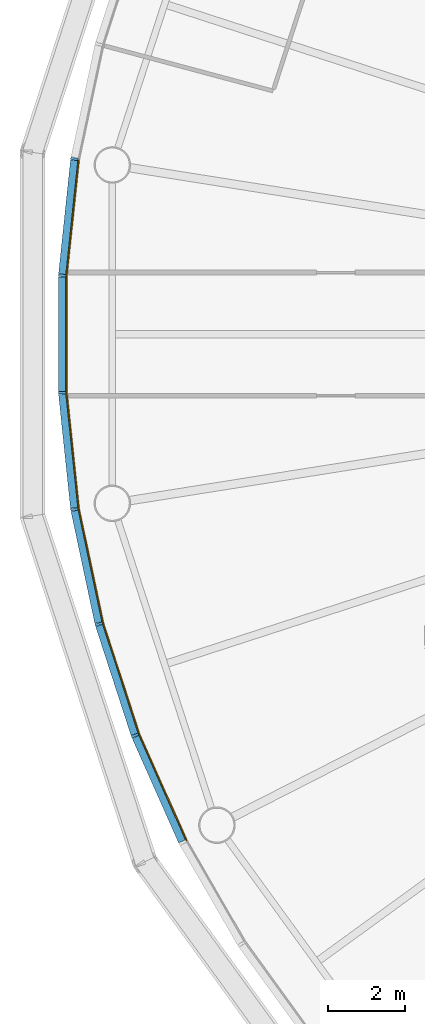
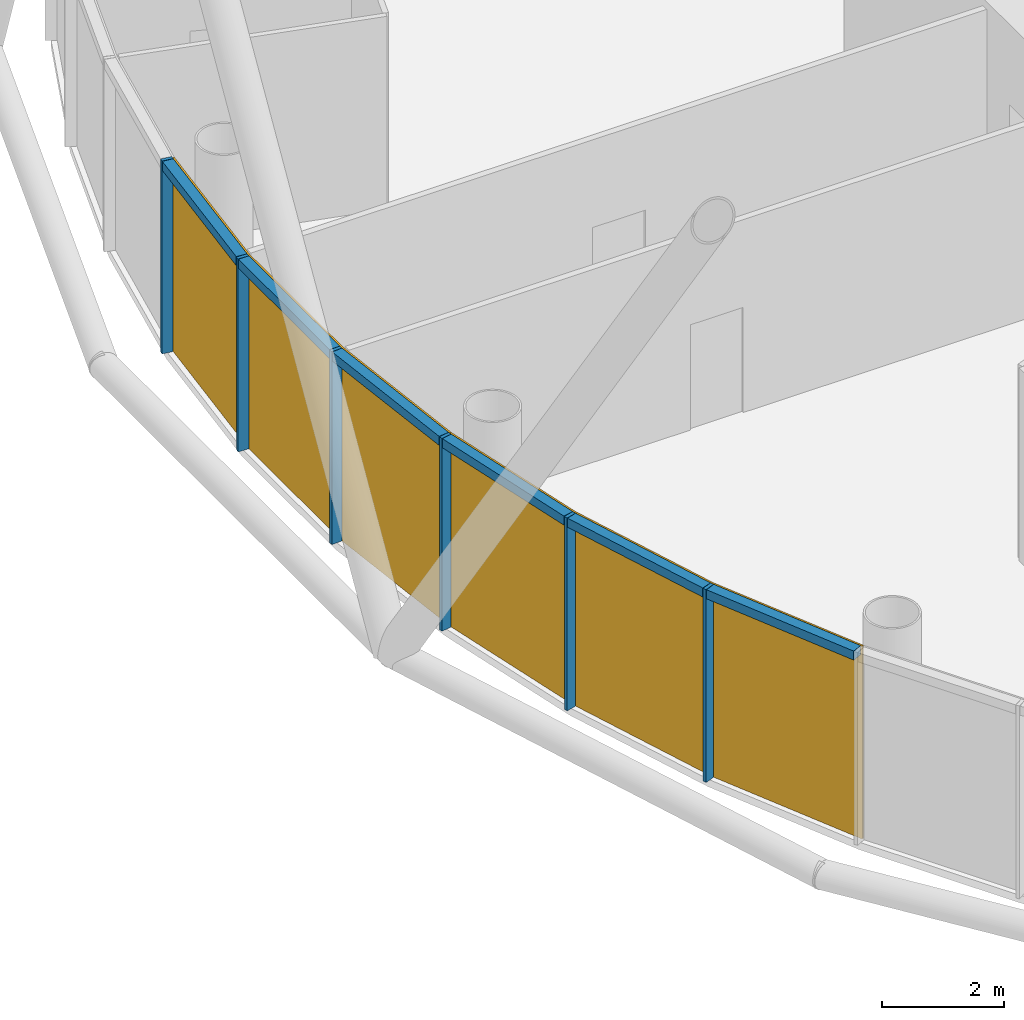
# One storey, part 8 of 13: 12 members, 2 curtain walls.
"""IFC4 building model written with IfcOpenShell, lengths in metres."""

from ifc_helpers import new_model, si_unit, direction, frame, origin, origin_2d, place, context, subcontext, project, spatial, polyline, rectangle, outline, extrude, material, layer, layer_set, material_profile, profile_set, type_object, element, aggregate, save


model = new_model("IFC4")

# Units and contexts
model_context = context("Model", 3, precision=1e-05, world=origin(), true_north=direction((0.0, 1.0)))
body_context = subcontext(model_context, "Body", "Model", "MODEL_VIEW")
ifc_project = project(units=[si_unit("LENGTHUNIT", "METRE"), si_unit("AREAUNIT", "SQUARE_METRE"), si_unit("VOLUMEUNIT", "CUBIC_METRE"), si_unit("PLANEANGLEUNIT", "RADIAN"), si_unit("MASSUNIT", "GRAM", prefix="KILO")], contexts=[model_context])

# Member
ifc_material_1 = material(Name="Anodised aluminium", Category="aluminium")
ifc_material_profile_1 = material_profile(ifc_material_1, rectangle(XDim=0.06494140625, YDim=0.195068359375, at=origin_2d()), Name="Mullion 65 x 195 mm anodised aluminium")
ifc_profile_set_1 = profile_set([ifc_material_profile_1], Name="Anodised aluminium")
member_type_1 = type_object("IfcMemberType", Name="Mullion 65 x 195 mm anodised aluminium", PredefinedType="MULLION", material=ifc_profile_set_1)
site_placement = place(None, origin())
building_placement = place(site_placement, origin())
storey_placement = place(building_placement, frame((0.0, 0.0, 294.0)))
member_1_placement = place(storey_placement, frame((61.2607421875, 84.5517578125, 0.0), z_axis=(0.0, 0.0, 1.0), x_axis=(-0.15643446504, -0.987688340595, 0.0)))
member_1 = element("IfcMember", 1, at=member_1_placement, type_object=member_type_1, Name="MULLION L67-27", PredefinedType="MULLION", context=body_context, shape_type="SweptSolid", body=[
    extrude(rectangle(XDim=0.06494140625, YDim=0.195068359375, at=origin_2d()), origin(), (0.0, 0.0, 1.0), 3.85009765625),
])

member_2_placement = place(storey_placement, frame((60.9423828125, 81.52294921875, 0.0), z_axis=(0.0, 0.0, 1.0), x_axis=(-0.052335956243, -0.998629534755, 0.0)))
member_2 = element("IfcMember", 2, at=member_2_placement, type_object=member_type_1, Name="MULLION L67-28", PredefinedType="MULLION", context=body_context, shape_type="SweptSolid", body=[
    extrude(rectangle(XDim=0.06494140625, YDim=0.195068359375, at=origin_2d()), origin(), (0.0, 0.0, 1.0), 3.85009765625),
])

member_3_placement = place(storey_placement, frame((60.9423828125, 78.47705078125, 0.0), z_axis=(0.0, 0.0, 1.0), x_axis=(0.052335956243, -0.998629534755, 0.0)))
member_3 = element("IfcMember", 3, at=member_3_placement, type_object=member_type_1, Name="MULLION L67-29", PredefinedType="MULLION", context=body_context, shape_type="SweptSolid", body=[
    extrude(rectangle(XDim=0.06494140625, YDim=0.195068359375, at=origin_2d()), origin(), (0.0, 0.0, 1.0), 3.85009765625),
])

member_4_placement = place(storey_placement, frame((61.2607421875, 75.4482421875, 0.0), z_axis=(0.0, 0.0, 1.0), x_axis=(0.15643446504, -0.987688340595, 0.0)))
member_4 = element("IfcMember", 4, at=member_4_placement, type_object=member_type_1, Name="MULLION L67-30", PredefinedType="MULLION", context=body_context, shape_type="SweptSolid", body=[
    extrude(rectangle(XDim=0.06494140625, YDim=0.195068359375, at=origin_2d()), origin(), (0.0, 0.0, 1.0), 3.85009765625),
])

member_5_placement = place(storey_placement, frame((61.89404296875, 72.468994140625, 0.0), z_axis=(0.0, 0.0, 1.0), x_axis=(0.258819045103, -0.965925826289, 0.0)))
member_5 = element("IfcMember", 5, at=member_5_placement, type_object=member_type_1, Name="MULLION L67-31", PredefinedType="MULLION", context=body_context, shape_type="SweptSolid", body=[
    extrude(rectangle(XDim=0.06494140625, YDim=0.195068359375, at=origin_2d()), origin(), (0.0, 0.0, 1.0), 3.85009765625),
])

member_6_placement = place(storey_placement, frame((62.835205078125, 69.572509765625, 0.0), z_axis=(0.0, 0.0, 1.0), x_axis=(0.358367949545, -0.933580426497, 0.0)))
member_6 = element("IfcMember", 6, at=member_6_placement, type_object=member_type_1, Name="MULLION L67-32", PredefinedType="MULLION", context=body_context, shape_type="SweptSolid", body=[
    extrude(rectangle(XDim=0.06494140625, YDim=0.195068359375, at=origin_2d()), origin(), (0.0, 0.0, 1.0), 3.85009765625),
])

ifc_material_2 = material(Name="Anodised aluminium", Category="aluminium")
ifc_material_profile_2 = material_profile(ifc_material_2, rectangle(XDim=0.195068359375, YDim=0.179931640625, at=origin_2d()), Name="Transom 180 x 195 mm anodised aluminium")
ifc_profile_set_2 = profile_set([ifc_material_profile_2], Name="Anodised aluminium")
member_type_2 = type_object("IfcMemberType", Name="Transom 180 x 195 mm anodised aluminium", PredefinedType="USERDEFINED", material=ifc_profile_set_2)
member_7_placement = place(storey_placement, frame((61.256591796875, 84.514404296875, 3.760009765625), z_axis=(-0.104466577987, -0.994528397827, 0.0), x_axis=(0.994528397827, -0.104466577987, 0.0)))
member_7 = element("IfcMember", 7, at=member_7_placement, type_object=member_type_2, Name="TRANSOM L67-27", ObjectType="TRANSOM", PredefinedType="USERDEFINED", context=body_context, shape_type="SweptSolid", body=[
    extrude(rectangle(XDim=0.195068359375, YDim=0.179931640625, at=origin_2d()), origin(), (0.0, 0.0, 1.0), 2.970458984375),
])

member_8_placement = place(storey_placement, frame((60.942138671875, 81.4853515625, 3.760009765625), z_axis=(0.0, -1.0, 0.0), x_axis=(1.0, 0.0, 0.0)))
member_8 = element("IfcMember", 8, at=member_8_placement, type_object=member_type_2, Name="TRANSOM L67-28", ObjectType="TRANSOM", PredefinedType="USERDEFINED", context=body_context, shape_type="SweptSolid", body=[
    extrude(rectangle(XDim=0.195068359375, YDim=0.179931640625, at=origin_2d()), origin(), (0.0, 0.0, 1.0), 2.970703125),
])

member_9_placement = place(storey_placement, frame((60.9462890625, 78.439697265625, 3.760009765625), z_axis=(0.104466577987, -0.994528397827, 0.0), x_axis=(0.994528397827, 0.104466577987, 0.0)))
member_9 = element("IfcMember", 9, at=member_9_placement, type_object=member_type_2, Name="TRANSOM L67-29", ObjectType="TRANSOM", PredefinedType="USERDEFINED", context=body_context, shape_type="SweptSolid", body=[
    extrude(rectangle(XDim=0.195068359375, YDim=0.179931640625, at=origin_2d()), origin(), (0.0, 0.0, 1.0), 2.970458984375),
])

member_10_placement = place(storey_placement, frame((61.268310546875, 75.411376953125, 3.760009765625), z_axis=(0.207940342877, -0.978141510112, 0.0), x_axis=(0.978141510112, 0.207940342877, 0.0)))
member_10 = element("IfcMember", 10, at=member_10_placement, type_object=member_type_2, Name="TRANSOM L67-30", ObjectType="TRANSOM", PredefinedType="USERDEFINED", context=body_context, shape_type="SweptSolid", body=[
    extrude(rectangle(XDim=0.195068359375, YDim=0.179931640625, at=origin_2d()), origin(), (0.0, 0.0, 1.0), 2.970458984375),
])

member_11_placement = place(storey_placement, frame((61.905517578125, 72.43310546875, 3.760009765625), z_axis=(0.309043326415, -0.951047960094, 0.0), x_axis=(0.951047960094, 0.309043326415, 0.0)))
member_11 = element("IfcMember", 11, at=member_11_placement, type_object=member_type_2, Name="TRANSOM L67-31", ObjectType="TRANSOM", PredefinedType="USERDEFINED", context=body_context, shape_type="SweptSolid", body=[
    extrude(rectangle(XDim=0.195068359375, YDim=0.179931640625, at=origin_2d()), origin(), (0.0, 0.0, 1.0), 2.970458984375),
])

member_12_placement = place(storey_placement, frame((62.850341796875, 69.5380859375, 3.760009765625), z_axis=(0.406725527369, -0.913550406593, 0.0), x_axis=(0.913550406593, 0.406725527369, 0.0)))
member_12 = element("IfcMember", 12, at=member_12_placement, type_object=member_type_2, Name="TRANSOM L67-32", ObjectType="TRANSOM", PredefinedType="USERDEFINED", context=body_context, shape_type="SweptSolid", body=[
    extrude(rectangle(XDim=0.195068359375, YDim=0.179931640625, at=origin_2d()), origin(), (0.0, 0.0, 1.0), 2.970703125),
])

# Site, building, storey
site = spatial("IfcSite", under=ifc_project, at=site_placement, CompositionType="ELEMENT")
building = spatial("IfcBuilding", under=site, at=building_placement, Name="Entoto Ring Tower", CompositionType="ELEMENT")
storey = spatial("IfcBuildingStorey", under=building, at=storey_placement, Name="L67", CompositionType="ELEMENT", Elevation=294.0)

# Curtain wall
ifc_material_3 = material(Name="Clear low-iron glass", Category="glass")
ifc_layer = layer(ifc_material_3, 0.033935546875)
ifc_layer_set = layer_set([ifc_layer], Name="Clear low-iron glass")
curtain_wall_type = type_object("IfcCurtainWallType", Name="Curtain wall system CW5 glazing 34 mm", PredefinedType="NOTDEFINED", material=ifc_layer_set)
curtain_wall_1_placement = place(storey_placement, origin())
curtain_wall_1 = element("IfcCurtainWall", 13, at=curtain_wall_1_placement, inside=storey, type_object=curtain_wall_type, Name="CW5 L67-10", PredefinedType="NOTDEFINED", context=body_context, shape_type="SweptSolid", body=[
    extrude(outline(polyline([(61.35693359375, 84.53662109375), (61.039794921875, 81.517822265625), (61.039794921875, 78.482177734375), (61.35693359375, 75.46337890625), (61.390625, 75.46875), (61.07373046875, 78.484130859375), (61.07373046875, 81.515869140625), (61.390625, 84.53125), (61.35693359375, 84.53662109375)])), origin(), (0.0, 0.0, 1.0), 3.85009765625),
])

aggregate(curtain_wall_1, [member_1, member_2, member_3, member_7, member_8, member_9])

curtain_wall_2_placement = place(storey_placement, origin())
curtain_wall_2 = element("IfcCurtainWall", 14, at=curtain_wall_2_placement, inside=storey, type_object=curtain_wall_type, Name="CW5 L67-11", PredefinedType="NOTDEFINED", context=body_context, shape_type="SweptSolid", body=[
    extrude(outline(polyline([(61.35693359375, 75.46337890625), (61.988037109375, 72.494140625), (62.92626953125, 69.607421875), (64.160888671875, 66.834228515625), (64.191162109375, 66.849853515625), (62.9580078125, 69.61962890625), (62.02099609375, 72.503173828125), (61.390625, 75.46875), (61.35693359375, 75.46337890625)])), origin(), (0.0, 0.0, 1.0), 3.85009765625),
])

aggregate(curtain_wall_2, [member_4, member_5, member_6, member_10, member_11, member_12])

save(model, "model.ifc")
